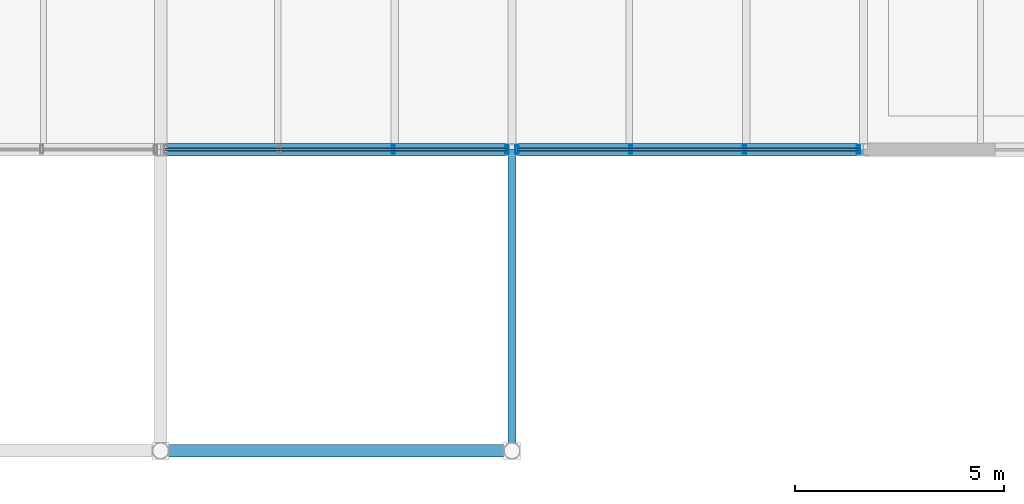
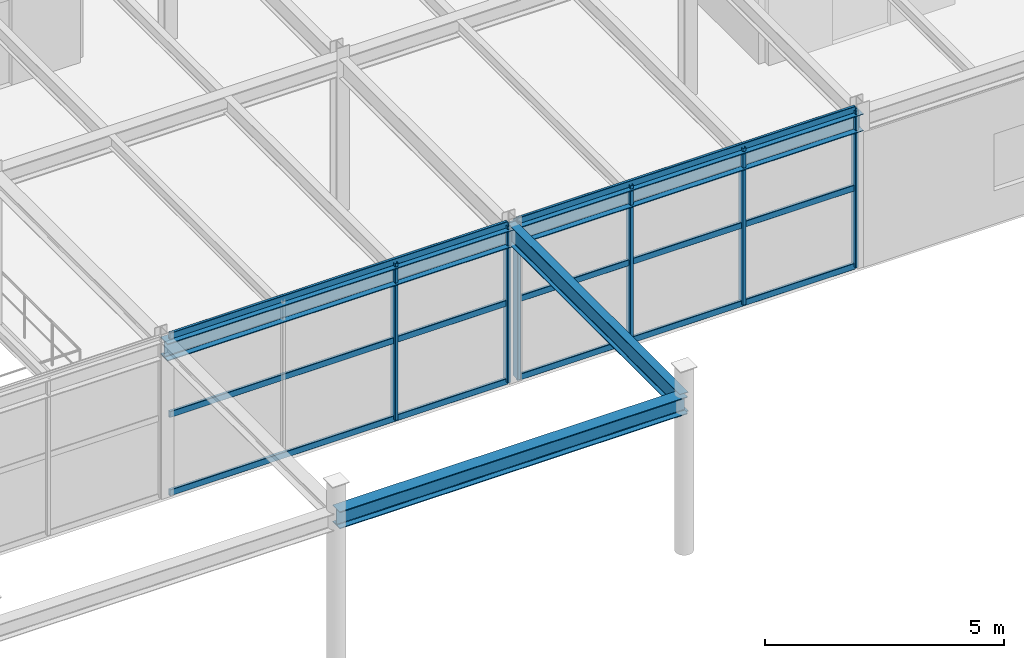
# One storey, part 30 of 109: 12 members, 4 beams, 2 elements without a shape of their own.
"""IFC4 building model written with IfcOpenShell, lengths in metres."""

from ifc_helpers import new_model, si_unit, derived_unit, direction, frame, origin, origin_2d, place, context, subcontext, project, spatial, hollow_rectangle, i_section, extrude, material, material_profile, profile_set, type_object, element, aggregate, save


model = new_model("IFC4")

# Units and contexts
model_context = context("Model", 3, precision=1e-05, world=origin(), true_north=direction((0.0, 1.0)))
body_context = subcontext(model_context, "Body", "Model", "MODEL_VIEW")
ifc_project = project(units=[si_unit("LENGTHUNIT", "METRE"), si_unit("AREAUNIT", "SQUARE_METRE"), si_unit("VOLUMEUNIT", "CUBIC_METRE"), si_unit("PLANEANGLEUNIT", "RADIAN"), si_unit("MASSUNIT", "GRAM", prefix="KILO"), derived_unit("THERMALTRANSMITTANCEUNIT", [(si_unit("MASSUNIT", "GRAM", prefix="KILO"), 1), (si_unit("TIMEUNIT", "SECOND"), -3), (si_unit("THERMODYNAMICTEMPERATUREUNIT", "KELVIN"), -1)])], contexts=[model_context])

# Site, building, storey
site_placement = place(None, origin())
site = spatial("IfcSite", under=ifc_project, at=site_placement, CompositionType="ELEMENT")
building_placement = place(site_placement, origin())
building = spatial("IfcBuilding", under=site, at=building_placement, Name="Kharveza Railside Sports Centre", CompositionType="ELEMENT")
storey_placement = place(building_placement, frame((0.0, 0.0, 4.5)))
storey = spatial("IfcBuildingStorey", under=building, at=storey_placement, Name="L01", CompositionType="ELEMENT", Elevation=4.5)

# Beams
ifc_material_1 = material(Name="Steel S355J2", Category="steel")
ifc_material_profile_1 = material_profile(ifc_material_1, i_section(OverallWidth=0.199951171875, OverallDepth=0.5, WebThickness=0.01025390625, FlangeThickness=0.01611328125, FilletRadius=0.02099609375, at=origin_2d()), Name="IPE 500")
ifc_profile_set_1 = profile_set([ifc_material_profile_1], Name="Steel S355J2")
beam_type_1 = type_object("IfcBeamType", Name="BM-G03", PredefinedType="T_BEAM", material=ifc_profile_set_1)
beam_1_placement = place(storey_placement, frame((100.800048828125, 0.0, 3.75), z_axis=(0.0, 1.0, 0.0), x_axis=(-1.0, 0.0, 0.0)))
element("IfcBeam", 1, at=beam_1_placement, inside=storey, type_object=beam_type_1, Name="BM-NS-L01-B03-X1008-Y0", PredefinedType="T_BEAM", context=body_context, shape_type="SweptSolid", body=[
    extrude(i_section(OverallWidth=0.199951171875, OverallDepth=0.5, WebThickness=0.01025390625, FlangeThickness=0.01611328125, FilletRadius=0.02099609375, at=origin_2d()), origin(), (0.0, 0.0, 1.0), 7.199951171875),
])
ifc_material_profile_2 = material_profile(ifc_material_1, i_section(OverallWidth=0.300048828125, OverallDepth=0.43994140625, WebThickness=0.011474609375, FlangeThickness=0.02099609375, FilletRadius=0.027099609375, at=origin_2d()), Name="HEA 450")
ifc_profile_set_2 = profile_set([ifc_material_profile_2], Name="Steel S355J2")
beam_type_2 = type_object("IfcBeamType", Name="BM-SP01", PredefinedType="SPANDREL", material=ifc_profile_set_2)
for number, where, z_axis, x_axis, name in (
    (2, (92.39990234375, 0.0, 3.780029296875), (1.0, 0.0, 0.0), (0.0, 1.0, 0.0), "BM-EW-L01-B15-X924-Y0"),
    (3, (92.39990234375, 7.199951171875, 3.699951171875), (1.0, 0.0, 0.0), (0.0, 1.0, 0.0), "BM-EW-L01-B15-X924-Y72"),
):
    element("IfcBeam", number, at=place(storey_placement, frame(where, z_axis=z_axis, x_axis=x_axis)), inside=storey, type_object=beam_type_2, Name=name, PredefinedType="SPANDREL", context=body_context, shape_type="SweptSolid", body=[
        extrude(i_section(OverallWidth=0.300048828125, OverallDepth=0.43994140625, WebThickness=0.011474609375, FlangeThickness=0.02099609375, FilletRadius=0.027099609375, at=origin_2d()), origin(), (0.0, 0.0, 1.0), 8.400146484375),
    ])
beam_2_placement = place(storey_placement, frame((100.800048828125, 7.199951171875, 3.699951171875), z_axis=(1.0, 0.0, 0.0), x_axis=(0.0, 1.0, 0.0)))
element("IfcBeam", 4, at=beam_2_placement, inside=storey, type_object=beam_type_2, Name="BM-EW-L01-B15-X1008-Y72", PredefinedType="SPANDREL", context=body_context, shape_type="SweptSolid", body=[
    extrude(i_section(OverallWidth=0.300048828125, OverallDepth=0.43994140625, WebThickness=0.011474609375, FlangeThickness=0.02099609375, FilletRadius=0.027099609375, at=origin_2d()), origin(), (0.0, 0.0, 1.0), 8.39990234375),
])

# Curtain wall, members
ifc_material_2 = material(Name="Low-E solar-control laminated glass", Category="glass")
curtain_wall_type = type_object("IfcCurtainWallType", Name="CW-WG01", PredefinedType="NOTDEFINED", material=ifc_material_2)
curtain_wall_1_placement = place(storey_placement, origin())
curtain_wall_1 = element("IfcCurtainWall", 5, at=curtain_wall_1_placement, inside=storey, type_object=curtain_wall_type, Name="CW-WG-L01-CW-WG01-X966-Y72", PredefinedType="NOTDEFINED")
ifc_material_3 = material(Name="Anodised aluminium 6063-T6", Category="aluminium")
ifc_material_profile_3 = material_profile(ifc_material_3, hollow_rectangle(XDim=0.080078125, YDim=0.199951171875, WallThickness=0.00634765625, InnerFilletRadius=0.00634765625, OuterFilletRadius=0.0126953125, at=origin_2d()), Name="RHS 80x200x6.3")
ifc_profile_set_3 = profile_set([ifc_material_profile_3], Name="Anodised aluminium 6063-T6")
member_type_1 = type_object("IfcMemberType", Name="CW-ML02", PredefinedType="MULLION", material=ifc_profile_set_3)
member_1_placement = place(storey_placement, frame((97.9599609375, 7.199951171875, 0.0), z_axis=(0.0, 0.0, 1.0), x_axis=(1.0, 0.0, 0.0)))
member_1 = element("IfcMember", 6, at=member_1_placement, type_object=member_type_1, Name="CW-WG-L01-CW-WG01-X966-Y72-ML3", PredefinedType="MULLION", context=body_context, shape_type="SweptSolid", body=[
    extrude(hollow_rectangle(XDim=0.080078125, YDim=0.199951171875, WallThickness=0.00634765625, InnerFilletRadius=0.00634765625, OuterFilletRadius=0.0126953125, at=origin_2d()), origin(), (0.0, 0.0, 1.0), 4.0),
])
member_2_placement = place(storey_placement, frame((100.679931640625, 7.199951171875, 0.0), z_axis=(0.0, 0.0, 1.0), x_axis=(1.0, 0.0, 0.0)))
member_2 = element("IfcMember", 7, at=member_2_placement, type_object=member_type_1, Name="CW-WG-L01-CW-WG01-X966-Y72-ML4", PredefinedType="MULLION", context=body_context, shape_type="SweptSolid", body=[
    extrude(hollow_rectangle(XDim=0.080078125, YDim=0.199951171875, WallThickness=0.00634765625, InnerFilletRadius=0.00634765625, OuterFilletRadius=0.0126953125, at=origin_2d()), origin(), (0.0, 0.0, 1.0), 4.0),
])

curtain_wall_2_placement = place(storey_placement, origin())
curtain_wall_2 = element("IfcCurtainWall", 8, at=curtain_wall_2_placement, inside=storey, type_object=curtain_wall_type, Name="CW-WG-L01-CW-WG01-X1050-Y72", PredefinedType="NOTDEFINED")
member_3_placement = place(storey_placement, frame((100.919921875, 7.199951171875, 0.0), z_axis=(0.0, 0.0, 1.0), x_axis=(1.0, 0.0, 0.0)))
member_3 = element("IfcMember", 9, at=member_3_placement, type_object=member_type_1, Name="CW-WG-L01-CW-WG01-X1050-Y72-ML1", PredefinedType="MULLION", context=body_context, shape_type="SweptSolid", body=[
    extrude(hollow_rectangle(XDim=0.080078125, YDim=0.199951171875, WallThickness=0.00634765625, InnerFilletRadius=0.00634765625, OuterFilletRadius=0.0126953125, at=origin_2d()), origin(), (0.0, 0.0, 1.0), 4.0),
])
member_4_placement = place(storey_placement, frame((103.639892578125, 7.199951171875, 0.0), z_axis=(0.0, 0.0, 1.0), x_axis=(1.0, 0.0, 0.0)))
member_4 = element("IfcMember", 10, at=member_4_placement, type_object=member_type_1, Name="CW-WG-L01-CW-WG01-X1050-Y72-ML2", PredefinedType="MULLION", context=body_context, shape_type="SweptSolid", body=[
    extrude(hollow_rectangle(XDim=0.080078125, YDim=0.199951171875, WallThickness=0.00634765625, InnerFilletRadius=0.00634765625, OuterFilletRadius=0.0126953125, at=origin_2d()), origin(), (0.0, 0.0, 1.0), 4.0),
])
member_5_placement = place(storey_placement, frame((106.360107421875, 7.199951171875, 0.0), z_axis=(0.0, 0.0, 1.0), x_axis=(1.0, 0.0, 0.0)))
member_5 = element("IfcMember", 11, at=member_5_placement, type_object=member_type_1, Name="CW-WG-L01-CW-WG01-X1050-Y72-ML3", PredefinedType="MULLION", context=body_context, shape_type="SweptSolid", body=[
    extrude(hollow_rectangle(XDim=0.080078125, YDim=0.199951171875, WallThickness=0.00634765625, InnerFilletRadius=0.00634765625, OuterFilletRadius=0.0126953125, at=origin_2d()), origin(), (0.0, 0.0, 1.0), 4.0),
])
member_6_placement = place(storey_placement, frame((109.080078125, 7.199951171875, 0.0), z_axis=(0.0, 0.0, 1.0), x_axis=(1.0, 0.0, 0.0)))
member_6 = element("IfcMember", 12, at=member_6_placement, type_object=member_type_1, Name="CW-WG-L01-CW-WG01-X1050-Y72-ML4", PredefinedType="MULLION", context=body_context, shape_type="SweptSolid", body=[
    extrude(hollow_rectangle(XDim=0.080078125, YDim=0.199951171875, WallThickness=0.00634765625, InnerFilletRadius=0.00634765625, OuterFilletRadius=0.0126953125, at=origin_2d()), origin(), (0.0, 0.0, 1.0), 4.0),
])

# Member
ifc_material_profile_4 = material_profile(ifc_material_3, hollow_rectangle(XDim=0.070068359375, YDim=0.159912109375, WallThickness=0.00634765625, InnerFilletRadius=0.00634765625, OuterFilletRadius=0.0126953125, at=origin_2d()), Name="RHS 70x160x6.3")
ifc_profile_set_4 = profile_set([ifc_material_profile_4], Name="Anodised aluminium 6063-T6")
member_type_2 = type_object("IfcMemberType", Name="CW-TR02", PredefinedType="USERDEFINED", material=ifc_profile_set_4)
member_7_placement = place(storey_placement, frame((92.52001953125, 7.199951171875, 0.0), z_axis=(1.0, 0.0, 0.0), x_axis=(0.0, 1.0, 0.0)))
member_7 = element("IfcMember", 13, at=member_7_placement, type_object=member_type_2, Name="CW-WG-L01-CW-WG01-X966-Y72-TR1", ObjectType="TRANSOM", PredefinedType="USERDEFINED", context=body_context, shape_type="SweptSolid", body=[
    extrude(hollow_rectangle(XDim=0.070068359375, YDim=0.159912109375, WallThickness=0.00634765625, InnerFilletRadius=0.00634765625, OuterFilletRadius=0.0126953125, at=origin_2d()), origin(), (0.0, 0.0, 1.0), 8.159912109375),
])

member_8_placement = place(storey_placement, frame((92.52001953125, 7.199951171875, 2.0), z_axis=(1.0, 0.0, 0.0), x_axis=(0.0, 1.0, 0.0)))
member_8 = element("IfcMember", 14, at=member_8_placement, type_object=member_type_2, Name="CW-WG-L01-CW-WG01-X966-Y72-TR2", ObjectType="TRANSOM", PredefinedType="USERDEFINED", context=body_context, shape_type="SweptSolid", body=[
    extrude(hollow_rectangle(XDim=0.070068359375, YDim=0.159912109375, WallThickness=0.00634765625, InnerFilletRadius=0.00634765625, OuterFilletRadius=0.0126953125, at=origin_2d()), origin(), (0.0, 0.0, 1.0), 8.159912109375),
])

member_9_placement = place(storey_placement, frame((92.52001953125, 7.199951171875, 4.0), z_axis=(1.0, 0.0, 0.0), x_axis=(0.0, 1.0, 0.0)))
member_9 = element("IfcMember", 15, at=member_9_placement, type_object=member_type_2, Name="CW-WG-L01-CW-WG01-X966-Y72-TR3", ObjectType="TRANSOM", PredefinedType="USERDEFINED", context=body_context, shape_type="SweptSolid", body=[
    extrude(hollow_rectangle(XDim=0.070068359375, YDim=0.159912109375, WallThickness=0.00634765625, InnerFilletRadius=0.00634765625, OuterFilletRadius=0.0126953125, at=origin_2d()), origin(), (0.0, 0.0, 1.0), 8.159912109375),
])

aggregate(curtain_wall_1, [member_1, member_2, member_7, member_8, member_9])

member_10_placement = place(storey_placement, frame((100.919921875, 7.199951171875, 0.0), z_axis=(1.0, 0.0, 0.0), x_axis=(0.0, 1.0, 0.0)))
member_10 = element("IfcMember", 16, at=member_10_placement, type_object=member_type_2, Name="CW-WG-L01-CW-WG01-X1050-Y72-TR1", ObjectType="TRANSOM", PredefinedType="USERDEFINED", context=body_context, shape_type="SweptSolid", body=[
    extrude(hollow_rectangle(XDim=0.070068359375, YDim=0.159912109375, WallThickness=0.00634765625, InnerFilletRadius=0.00634765625, OuterFilletRadius=0.0126953125, at=origin_2d()), origin(), (0.0, 0.0, 1.0), 8.16015625),
])

member_11_placement = place(storey_placement, frame((100.919921875, 7.199951171875, 2.0), z_axis=(1.0, 0.0, 0.0), x_axis=(0.0, 1.0, 0.0)))
member_11 = element("IfcMember", 17, at=member_11_placement, type_object=member_type_2, Name="CW-WG-L01-CW-WG01-X1050-Y72-TR2", ObjectType="TRANSOM", PredefinedType="USERDEFINED", context=body_context, shape_type="SweptSolid", body=[
    extrude(hollow_rectangle(XDim=0.070068359375, YDim=0.159912109375, WallThickness=0.00634765625, InnerFilletRadius=0.00634765625, OuterFilletRadius=0.0126953125, at=origin_2d()), origin(), (0.0, 0.0, 1.0), 8.16015625),
])

member_12_placement = place(storey_placement, frame((100.919921875, 7.199951171875, 4.0), z_axis=(1.0, 0.0, 0.0), x_axis=(0.0, 1.0, 0.0)))
member_12 = element("IfcMember", 18, at=member_12_placement, type_object=member_type_2, Name="CW-WG-L01-CW-WG01-X1050-Y72-TR3", ObjectType="TRANSOM", PredefinedType="USERDEFINED", context=body_context, shape_type="SweptSolid", body=[
    extrude(hollow_rectangle(XDim=0.070068359375, YDim=0.159912109375, WallThickness=0.00634765625, InnerFilletRadius=0.00634765625, OuterFilletRadius=0.0126953125, at=origin_2d()), origin(), (0.0, 0.0, 1.0), 8.16015625),
])

aggregate(curtain_wall_2, [member_3, member_4, member_5, member_6, member_10, member_11, member_12])

save(model, "model.ifc")
